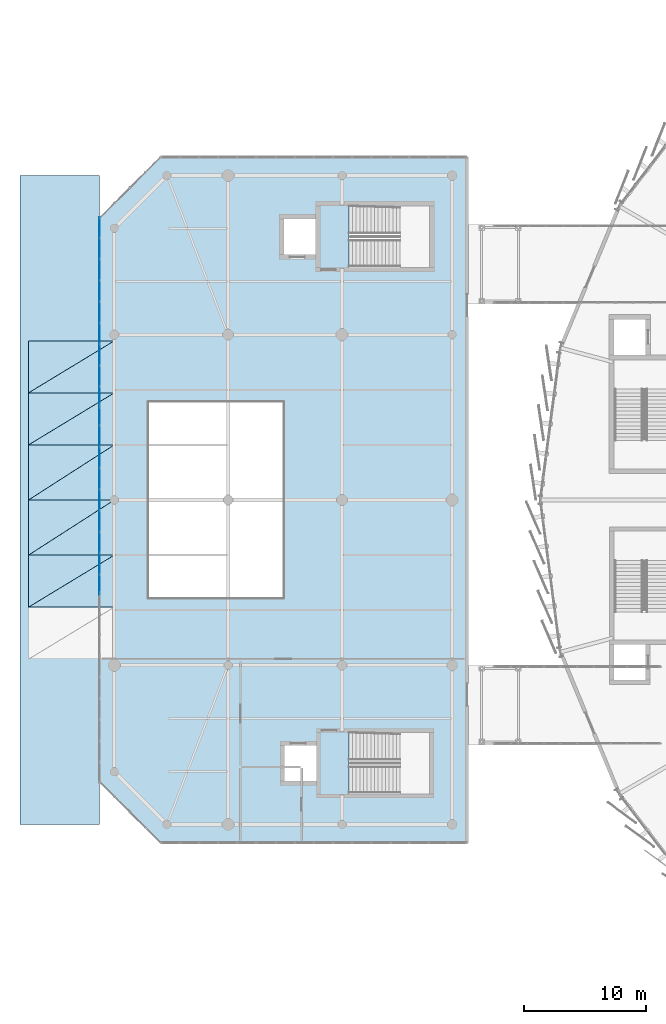
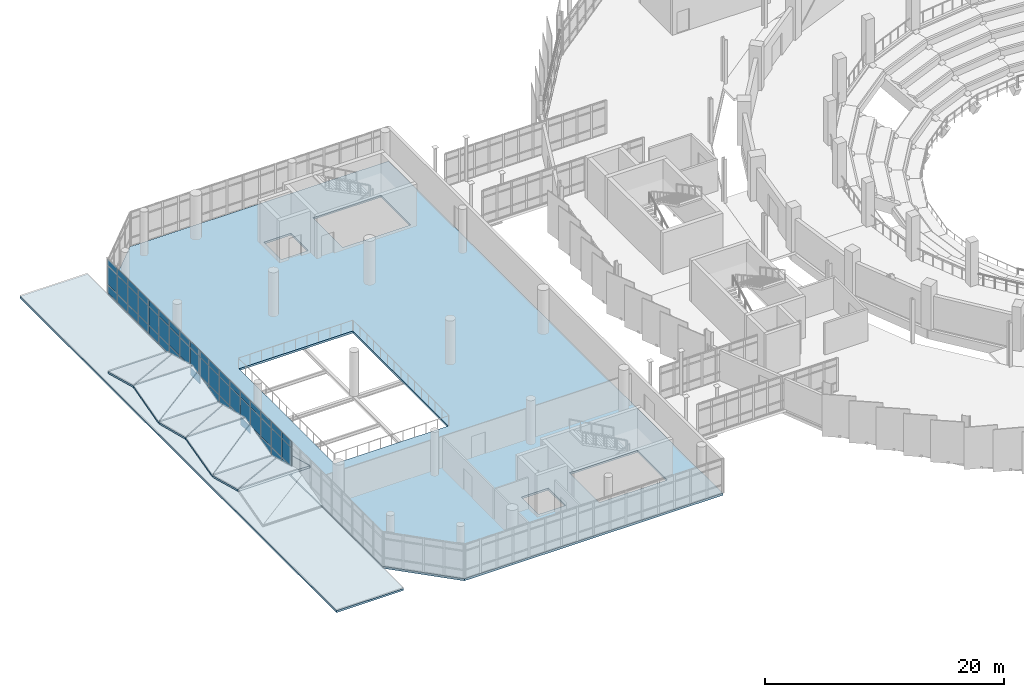
# One storey, part 89 of 134: 54 plates, 12 slabs, 2 elements without a shape of their own.
"""IFC4 building model written with IfcOpenShell, lengths in metres."""

from ifc_helpers import new_model, si_unit, direction, frame, origin, origin_2d, place, context, subcontext, project, spatial, polyline, rectangle, outline, extrude, material, layer, layer_set, type_object, element, aggregate, save


model = new_model("IFC4")

# Units and contexts
model_context = context("Model", 3, precision=1e-05, world=origin(), true_north=direction((0.0, 1.0)))
body_context = subcontext(model_context, "Body", "Model", "MODEL_VIEW")
ifc_project = project(units=[si_unit("LENGTHUNIT", "METRE"), si_unit("AREAUNIT", "SQUARE_METRE"), si_unit("VOLUMEUNIT", "CUBIC_METRE"), si_unit("PLANEANGLEUNIT", "RADIAN"), si_unit("MASSUNIT", "GRAM", prefix="KILO")], contexts=[model_context])

# Site, building, storey
site_placement = place(None, origin())
site = spatial("IfcSite", under=ifc_project, at=site_placement, CompositionType="ELEMENT")
building_placement = place(site_placement, origin())
building = spatial("IfcBuilding", under=site, at=building_placement, Name="Sohan Crest Arena", CompositionType="ELEMENT")
storey_placement = place(building_placement, frame((0.0, 0.0, 4.5)))
storey = spatial("IfcBuildingStorey", under=building, at=storey_placement, Name="L01", CompositionType="ELEMENT", Elevation=4.5)

# Curtain wall, plates
ifc_material_1 = material(Name="Thermally broken anodised aluminium", Category="aluminium")
ifc_layer_1 = layer(ifc_material_1, 0.219970703125, Name="Thermally broken anodised aluminium")
ifc_layer_set_1 = layer_set([ifc_layer_1], Name="Thermally broken anodised aluminium")
curtain_wall_type = type_object("IfcCurtainWallType", Name="ARC-CW03", PredefinedType="NOTDEFINED", material=ifc_layer_set_1)
curtain_wall_1_placement = place(storey_placement, origin())
curtain_wall_1 = element("IfcCurtainWall", 1, at=curtain_wall_1_placement, inside=storey, type_object=curtain_wall_type, Name="Unitised curtain wall CW-209", PredefinedType="NOTDEFINED")
ifc_material_2 = material(Name="Low-E double-glazed insulated glass", Category="glass")
ifc_layer_2 = layer(ifc_material_2, 0.028076171875, Name="Low-E double-glazed insulated glass")
ifc_layer_set_2 = layer_set([ifc_layer_2], Name="Low-E double-glazed insulated glass")
plate_type = type_object("IfcPlateType", Name="ARC-CNP01", PredefinedType="CURTAIN_PANEL", material=ifc_layer_set_2)
plate_1_placement = place(storey_placement, frame((14.0, 100.263916015625, 0.06494140625), z_axis=(0.0, 0.0, 1.0), x_axis=(0.0, -1.0, 0.0)))
plate_1 = element("IfcPlate", 2, at=plate_1_placement, type_object=plate_type, Name="CW-209 panel 1.1", PredefinedType="CURTAIN_PANEL", context=body_context, shape_type="SweptSolid", body=[
    extrude(rectangle(XDim=1.632080078125, YDim=0.028076171875, at=origin_2d()), origin(), (0.0, 0.0, 1.0), 0.802490234375),
])
plate_2_placement = place(storey_placement, frame((14.0, 100.263916015625, 0.9326171875), z_axis=(0.0, 0.0, 1.0), x_axis=(0.0, -1.0, 0.0)))
plate_2 = element("IfcPlate", 3, at=plate_2_placement, type_object=plate_type, Name="CW-209 panel 1.2", PredefinedType="CURTAIN_PANEL", context=body_context, shape_type="SweptSolid", body=[
    extrude(rectangle(XDim=1.632080078125, YDim=0.028076171875, at=origin_2d()), origin(), (0.0, 0.0, 1.0), 1.885009765625),
])
plate_3_placement = place(storey_placement, frame((14.0, 100.263916015625, 2.882568359375), z_axis=(0.0, 0.0, 1.0), x_axis=(0.0, -1.0, 0.0)))
plate_3 = element("IfcPlate", 4, at=plate_3_placement, type_object=plate_type, Name="CW-209 panel 1.3", PredefinedType="CURTAIN_PANEL", context=body_context, shape_type="SweptSolid", body=[
    extrude(rectangle(XDim=1.632080078125, YDim=0.028076171875, at=origin_2d()), origin(), (0.0, 0.0, 1.0), 0.6025390625),
])
plate_4_placement = place(storey_placement, frame((14.0, 98.54443359375, 0.06494140625), z_axis=(0.0, 0.0, 1.0), x_axis=(0.0, -1.0, 0.0)))
plate_4 = element("IfcPlate", 5, at=plate_4_placement, type_object=plate_type, Name="CW-209 panel 2.1", PredefinedType="CURTAIN_PANEL", context=body_context, shape_type="SweptSolid", body=[
    extrude(rectangle(XDim=1.6669921875, YDim=0.028076171875, at=origin_2d()), origin(), (0.0, 0.0, 1.0), 0.802490234375),
])
plate_5_placement = place(storey_placement, frame((14.0, 98.54443359375, 0.9326171875), z_axis=(0.0, 0.0, 1.0), x_axis=(0.0, -1.0, 0.0)))
plate_5 = element("IfcPlate", 6, at=plate_5_placement, type_object=plate_type, Name="CW-209 panel 2.2", PredefinedType="CURTAIN_PANEL", context=body_context, shape_type="SweptSolid", body=[
    extrude(rectangle(XDim=1.6669921875, YDim=0.028076171875, at=origin_2d()), origin(), (0.0, 0.0, 1.0), 1.885009765625),
])
plate_6_placement = place(storey_placement, frame((14.0, 98.54443359375, 2.882568359375), z_axis=(0.0, 0.0, 1.0), x_axis=(0.0, -1.0, 0.0)))
plate_6 = element("IfcPlate", 7, at=plate_6_placement, type_object=plate_type, Name="CW-209 panel 2.3", PredefinedType="CURTAIN_PANEL", context=body_context, shape_type="SweptSolid", body=[
    extrude(rectangle(XDim=1.6669921875, YDim=0.028076171875, at=origin_2d()), origin(), (0.0, 0.0, 1.0), 0.6025390625),
])
plate_7_placement = place(storey_placement, frame((14.0, 96.8076171875, 0.06494140625), z_axis=(0.0, 0.0, 1.0), x_axis=(0.0, -1.0, 0.0)))
plate_7 = element("IfcPlate", 8, at=plate_7_placement, type_object=plate_type, Name="CW-209 panel 3.1", PredefinedType="CURTAIN_PANEL", context=body_context, shape_type="SweptSolid", body=[
    extrude(rectangle(XDim=1.6669921875, YDim=0.028076171875, at=origin_2d()), origin(), (0.0, 0.0, 1.0), 0.802490234375),
])
plate_8_placement = place(storey_placement, frame((14.0, 96.8076171875, 0.9326171875), z_axis=(0.0, 0.0, 1.0), x_axis=(0.0, -1.0, 0.0)))
plate_8 = element("IfcPlate", 9, at=plate_8_placement, type_object=plate_type, Name="CW-209 panel 3.2", PredefinedType="CURTAIN_PANEL", context=body_context, shape_type="SweptSolid", body=[
    extrude(rectangle(XDim=1.6669921875, YDim=0.028076171875, at=origin_2d()), origin(), (0.0, 0.0, 1.0), 1.885009765625),
])
plate_9_placement = place(storey_placement, frame((14.0, 96.8076171875, 2.882568359375), z_axis=(0.0, 0.0, 1.0), x_axis=(0.0, -1.0, 0.0)))
plate_9 = element("IfcPlate", 10, at=plate_9_placement, type_object=plate_type, Name="CW-209 panel 3.3", PredefinedType="CURTAIN_PANEL", context=body_context, shape_type="SweptSolid", body=[
    extrude(rectangle(XDim=1.6669921875, YDim=0.028076171875, at=origin_2d()), origin(), (0.0, 0.0, 1.0), 0.6025390625),
])
plate_10_placement = place(storey_placement, frame((14.0, 95.070556640625, 0.06494140625), z_axis=(0.0, 0.0, 1.0), x_axis=(0.0, -1.0, 0.0)))
plate_10 = element("IfcPlate", 11, at=plate_10_placement, type_object=plate_type, Name="CW-209 panel 4.1", PredefinedType="CURTAIN_PANEL", context=body_context, shape_type="SweptSolid", body=[
    extrude(rectangle(XDim=1.6669921875, YDim=0.028076171875, at=origin_2d()), origin(), (0.0, 0.0, 1.0), 0.802490234375),
])
plate_11_placement = place(storey_placement, frame((14.0, 95.070556640625, 0.9326171875), z_axis=(0.0, 0.0, 1.0), x_axis=(0.0, -1.0, 0.0)))
plate_11 = element("IfcPlate", 12, at=plate_11_placement, type_object=plate_type, Name="CW-209 panel 4.2", PredefinedType="CURTAIN_PANEL", context=body_context, shape_type="SweptSolid", body=[
    extrude(rectangle(XDim=1.6669921875, YDim=0.028076171875, at=origin_2d()), origin(), (0.0, 0.0, 1.0), 1.885009765625),
])
plate_12_placement = place(storey_placement, frame((14.0, 95.070556640625, 2.882568359375), z_axis=(0.0, 0.0, 1.0), x_axis=(0.0, -1.0, 0.0)))
plate_12 = element("IfcPlate", 13, at=plate_12_placement, type_object=plate_type, Name="CW-209 panel 4.3", PredefinedType="CURTAIN_PANEL", context=body_context, shape_type="SweptSolid", body=[
    extrude(rectangle(XDim=1.6669921875, YDim=0.028076171875, at=origin_2d()), origin(), (0.0, 0.0, 1.0), 0.6025390625),
])
plate_13_placement = place(storey_placement, frame((14.0, 93.33349609375, 0.06494140625), z_axis=(0.0, 0.0, 1.0), x_axis=(0.0, -1.0, 0.0)))
plate_13 = element("IfcPlate", 14, at=plate_13_placement, type_object=plate_type, Name="CW-209 panel 5.1", PredefinedType="CURTAIN_PANEL", context=body_context, shape_type="SweptSolid", body=[
    extrude(rectangle(XDim=1.6669921875, YDim=0.028076171875, at=origin_2d()), origin(), (0.0, 0.0, 1.0), 0.802490234375),
])
plate_14_placement = place(storey_placement, frame((14.0, 93.33349609375, 0.9326171875), z_axis=(0.0, 0.0, 1.0), x_axis=(0.0, -1.0, 0.0)))
plate_14 = element("IfcPlate", 15, at=plate_14_placement, type_object=plate_type, Name="CW-209 panel 5.2", PredefinedType="CURTAIN_PANEL", context=body_context, shape_type="SweptSolid", body=[
    extrude(rectangle(XDim=1.6669921875, YDim=0.028076171875, at=origin_2d()), origin(), (0.0, 0.0, 1.0), 1.885009765625),
])
plate_15_placement = place(storey_placement, frame((14.0, 93.33349609375, 2.882568359375), z_axis=(0.0, 0.0, 1.0), x_axis=(0.0, -1.0, 0.0)))
plate_15 = element("IfcPlate", 16, at=plate_15_placement, type_object=plate_type, Name="CW-209 panel 5.3", PredefinedType="CURTAIN_PANEL", context=body_context, shape_type="SweptSolid", body=[
    extrude(rectangle(XDim=1.6669921875, YDim=0.028076171875, at=origin_2d()), origin(), (0.0, 0.0, 1.0), 0.6025390625),
])
plate_16_placement = place(storey_placement, frame((14.0, 91.596435546875, 0.06494140625), z_axis=(0.0, 0.0, 1.0), x_axis=(0.0, -1.0, 0.0)))
plate_16 = element("IfcPlate", 17, at=plate_16_placement, type_object=plate_type, Name="CW-209 panel 6.1", PredefinedType="CURTAIN_PANEL", context=body_context, shape_type="SweptSolid", body=[
    extrude(rectangle(XDim=1.6669921875, YDim=0.028076171875, at=origin_2d()), origin(), (0.0, 0.0, 1.0), 0.802490234375),
])
plate_17_placement = place(storey_placement, frame((14.0, 91.596435546875, 0.9326171875), z_axis=(0.0, 0.0, 1.0), x_axis=(0.0, -1.0, 0.0)))
plate_17 = element("IfcPlate", 18, at=plate_17_placement, type_object=plate_type, Name="CW-209 panel 6.2", PredefinedType="CURTAIN_PANEL", context=body_context, shape_type="SweptSolid", body=[
    extrude(rectangle(XDim=1.6669921875, YDim=0.028076171875, at=origin_2d()), origin(), (0.0, 0.0, 1.0), 1.885009765625),
])
plate_18_placement = place(storey_placement, frame((14.0, 91.596435546875, 2.882568359375), z_axis=(0.0, 0.0, 1.0), x_axis=(0.0, -1.0, 0.0)))
plate_18 = element("IfcPlate", 19, at=plate_18_placement, type_object=plate_type, Name="CW-209 panel 6.3", PredefinedType="CURTAIN_PANEL", context=body_context, shape_type="SweptSolid", body=[
    extrude(rectangle(XDim=1.6669921875, YDim=0.028076171875, at=origin_2d()), origin(), (0.0, 0.0, 1.0), 0.6025390625),
])
plate_19_placement = place(storey_placement, frame((14.0, 89.859619140625, 0.06494140625), z_axis=(0.0, 0.0, 1.0), x_axis=(0.0, -1.0, 0.0)))
plate_19 = element("IfcPlate", 20, at=plate_19_placement, type_object=plate_type, Name="CW-209 panel 7.1", PredefinedType="CURTAIN_PANEL", context=body_context, shape_type="SweptSolid", body=[
    extrude(rectangle(XDim=1.6669921875, YDim=0.028076171875, at=origin_2d()), origin(), (0.0, 0.0, 1.0), 0.802490234375),
])
plate_20_placement = place(storey_placement, frame((14.0, 89.859619140625, 0.9326171875), z_axis=(0.0, 0.0, 1.0), x_axis=(0.0, -1.0, 0.0)))
plate_20 = element("IfcPlate", 21, at=plate_20_placement, type_object=plate_type, Name="CW-209 panel 7.2", PredefinedType="CURTAIN_PANEL", context=body_context, shape_type="SweptSolid", body=[
    extrude(rectangle(XDim=1.6669921875, YDim=0.028076171875, at=origin_2d()), origin(), (0.0, 0.0, 1.0), 1.885009765625),
])
plate_21_placement = place(storey_placement, frame((14.0, 89.859619140625, 2.882568359375), z_axis=(0.0, 0.0, 1.0), x_axis=(0.0, -1.0, 0.0)))
plate_21 = element("IfcPlate", 22, at=plate_21_placement, type_object=plate_type, Name="CW-209 panel 7.3", PredefinedType="CURTAIN_PANEL", context=body_context, shape_type="SweptSolid", body=[
    extrude(rectangle(XDim=1.6669921875, YDim=0.028076171875, at=origin_2d()), origin(), (0.0, 0.0, 1.0), 0.6025390625),
])
plate_22_placement = place(storey_placement, frame((14.0, 88.12255859375, 0.06494140625), z_axis=(0.0, 0.0, 1.0), x_axis=(0.0, -1.0, 0.0)))
plate_22 = element("IfcPlate", 23, at=plate_22_placement, type_object=plate_type, Name="CW-209 panel 8.1", PredefinedType="CURTAIN_PANEL", context=body_context, shape_type="SweptSolid", body=[
    extrude(rectangle(XDim=1.6669921875, YDim=0.028076171875, at=origin_2d()), origin(), (0.0, 0.0, 1.0), 0.802490234375),
])
plate_23_placement = place(storey_placement, frame((14.0, 88.12255859375, 0.9326171875), z_axis=(0.0, 0.0, 1.0), x_axis=(0.0, -1.0, 0.0)))
plate_23 = element("IfcPlate", 24, at=plate_23_placement, type_object=plate_type, Name="CW-209 panel 8.2", PredefinedType="CURTAIN_PANEL", context=body_context, shape_type="SweptSolid", body=[
    extrude(rectangle(XDim=1.6669921875, YDim=0.028076171875, at=origin_2d()), origin(), (0.0, 0.0, 1.0), 1.885009765625),
])
plate_24_placement = place(storey_placement, frame((14.0, 88.12255859375, 2.882568359375), z_axis=(0.0, 0.0, 1.0), x_axis=(0.0, -1.0, 0.0)))
plate_24 = element("IfcPlate", 25, at=plate_24_placement, type_object=plate_type, Name="CW-209 panel 8.3", PredefinedType="CURTAIN_PANEL", context=body_context, shape_type="SweptSolid", body=[
    extrude(rectangle(XDim=1.6669921875, YDim=0.028076171875, at=origin_2d()), origin(), (0.0, 0.0, 1.0), 0.6025390625),
])
plate_25_placement = place(storey_placement, frame((14.0, 86.403076171875, 0.06494140625), z_axis=(0.0, 0.0, 1.0), x_axis=(0.0, -1.0, 0.0)))
plate_25 = element("IfcPlate", 26, at=plate_25_placement, type_object=plate_type, Name="CW-209 panel 9.1", PredefinedType="CURTAIN_PANEL", context=body_context, shape_type="SweptSolid", body=[
    extrude(rectangle(XDim=1.632080078125, YDim=0.028076171875, at=origin_2d()), origin(), (0.0, 0.0, 1.0), 0.802490234375),
])
plate_26_placement = place(storey_placement, frame((14.0, 86.403076171875, 0.9326171875), z_axis=(0.0, 0.0, 1.0), x_axis=(0.0, -1.0, 0.0)))
plate_26 = element("IfcPlate", 27, at=plate_26_placement, type_object=plate_type, Name="CW-209 panel 9.2", PredefinedType="CURTAIN_PANEL", context=body_context, shape_type="SweptSolid", body=[
    extrude(rectangle(XDim=1.632080078125, YDim=0.028076171875, at=origin_2d()), origin(), (0.0, 0.0, 1.0), 1.885009765625),
])
plate_27_placement = place(storey_placement, frame((14.0, 86.403076171875, 2.882568359375), z_axis=(0.0, 0.0, 1.0), x_axis=(0.0, -1.0, 0.0)))
plate_27 = element("IfcPlate", 28, at=plate_27_placement, type_object=plate_type, Name="CW-209 panel 9.3", PredefinedType="CURTAIN_PANEL", context=body_context, shape_type="SweptSolid", body=[
    extrude(rectangle(XDim=1.632080078125, YDim=0.028076171875, at=origin_2d()), origin(), (0.0, 0.0, 1.0), 0.6025390625),
])
aggregate(curtain_wall_1, [plate_1, plate_2, plate_3, plate_4, plate_5, plate_6, plate_7, plate_8, plate_9, plate_10, plate_11, plate_12, plate_13, plate_14, plate_15, plate_16, plate_17, plate_18, plate_19, plate_20, plate_21, plate_22, plate_23, plate_24, plate_25, plate_26, plate_27])

curtain_wall_2_placement = place(storey_placement, origin())
curtain_wall_2 = element("IfcCurtainWall", 29, at=curtain_wall_2_placement, inside=storey, type_object=curtain_wall_type, Name="Unitised curtain wall CW-210", PredefinedType="NOTDEFINED")
plate_28_placement = place(storey_placement, frame((14.0, 84.930908203125, 0.06494140625), z_axis=(0.0, 0.0, 1.0), x_axis=(0.0, -1.0, 0.0)))
plate_28 = element("IfcPlate", 30, at=plate_28_placement, type_object=plate_type, Name="CW-210 panel 1.1", PredefinedType="CURTAIN_PANEL", context=body_context, shape_type="SweptSolid", body=[
    extrude(rectangle(XDim=1.632080078125, YDim=0.028076171875, at=origin_2d()), origin(), (0.0, 0.0, 1.0), 0.802490234375),
])
plate_29_placement = place(storey_placement, frame((14.0, 84.930908203125, 0.9326171875), z_axis=(0.0, 0.0, 1.0), x_axis=(0.0, -1.0, 0.0)))
plate_29 = element("IfcPlate", 31, at=plate_29_placement, type_object=plate_type, Name="CW-210 panel 1.2", PredefinedType="CURTAIN_PANEL", context=body_context, shape_type="SweptSolid", body=[
    extrude(rectangle(XDim=1.632080078125, YDim=0.028076171875, at=origin_2d()), origin(), (0.0, 0.0, 1.0), 1.885009765625),
])
plate_30_placement = place(storey_placement, frame((14.0, 84.930908203125, 2.882568359375), z_axis=(0.0, 0.0, 1.0), x_axis=(0.0, -1.0, 0.0)))
plate_30 = element("IfcPlate", 32, at=plate_30_placement, type_object=plate_type, Name="CW-210 panel 1.3", PredefinedType="CURTAIN_PANEL", context=body_context, shape_type="SweptSolid", body=[
    extrude(rectangle(XDim=1.632080078125, YDim=0.028076171875, at=origin_2d()), origin(), (0.0, 0.0, 1.0), 0.6025390625),
])
plate_31_placement = place(storey_placement, frame((14.0, 83.21142578125, 0.06494140625), z_axis=(0.0, 0.0, 1.0), x_axis=(0.0, -1.0, 0.0)))
plate_31 = element("IfcPlate", 33, at=plate_31_placement, type_object=plate_type, Name="CW-210 panel 2.1", PredefinedType="CURTAIN_PANEL", context=body_context, shape_type="SweptSolid", body=[
    extrude(rectangle(XDim=1.6669921875, YDim=0.028076171875, at=origin_2d()), origin(), (0.0, 0.0, 1.0), 0.802490234375),
])
plate_32_placement = place(storey_placement, frame((14.0, 83.21142578125, 0.9326171875), z_axis=(0.0, 0.0, 1.0), x_axis=(0.0, -1.0, 0.0)))
plate_32 = element("IfcPlate", 34, at=plate_32_placement, type_object=plate_type, Name="CW-210 panel 2.2", PredefinedType="CURTAIN_PANEL", context=body_context, shape_type="SweptSolid", body=[
    extrude(rectangle(XDim=1.6669921875, YDim=0.028076171875, at=origin_2d()), origin(), (0.0, 0.0, 1.0), 1.885009765625),
])
plate_33_placement = place(storey_placement, frame((14.0, 83.21142578125, 2.882568359375), z_axis=(0.0, 0.0, 1.0), x_axis=(0.0, -1.0, 0.0)))
plate_33 = element("IfcPlate", 35, at=plate_33_placement, type_object=plate_type, Name="CW-210 panel 2.3", PredefinedType="CURTAIN_PANEL", context=body_context, shape_type="SweptSolid", body=[
    extrude(rectangle(XDim=1.6669921875, YDim=0.028076171875, at=origin_2d()), origin(), (0.0, 0.0, 1.0), 0.6025390625),
])
plate_34_placement = place(storey_placement, frame((14.0, 81.47412109375, 0.06494140625), z_axis=(0.0, 0.0, 1.0), x_axis=(0.0, -1.0, 0.0)))
plate_34 = element("IfcPlate", 36, at=plate_34_placement, type_object=plate_type, Name="CW-210 panel 3.1", PredefinedType="CURTAIN_PANEL", context=body_context, shape_type="SweptSolid", body=[
    extrude(rectangle(XDim=1.6669921875, YDim=0.028076171875, at=origin_2d()), origin(), (0.0, 0.0, 1.0), 0.802490234375),
])
plate_35_placement = place(storey_placement, frame((14.0, 81.47412109375, 0.9326171875), z_axis=(0.0, 0.0, 1.0), x_axis=(0.0, -1.0, 0.0)))
plate_35 = element("IfcPlate", 37, at=plate_35_placement, type_object=plate_type, Name="CW-210 panel 3.2", PredefinedType="CURTAIN_PANEL", context=body_context, shape_type="SweptSolid", body=[
    extrude(rectangle(XDim=1.6669921875, YDim=0.028076171875, at=origin_2d()), origin(), (0.0, 0.0, 1.0), 1.885009765625),
])
plate_36_placement = place(storey_placement, frame((14.0, 81.47412109375, 2.882568359375), z_axis=(0.0, 0.0, 1.0), x_axis=(0.0, -1.0, 0.0)))
plate_36 = element("IfcPlate", 38, at=plate_36_placement, type_object=plate_type, Name="CW-210 panel 3.3", PredefinedType="CURTAIN_PANEL", context=body_context, shape_type="SweptSolid", body=[
    extrude(rectangle(XDim=1.6669921875, YDim=0.028076171875, at=origin_2d()), origin(), (0.0, 0.0, 1.0), 0.6025390625),
])
plate_37_placement = place(storey_placement, frame((14.0, 79.737060546875, 0.06494140625), z_axis=(0.0, 0.0, 1.0), x_axis=(0.0, -1.0, 0.0)))
plate_37 = element("IfcPlate", 39, at=plate_37_placement, type_object=plate_type, Name="CW-210 panel 4.1", PredefinedType="CURTAIN_PANEL", context=body_context, shape_type="SweptSolid", body=[
    extrude(rectangle(XDim=1.6669921875, YDim=0.028076171875, at=origin_2d()), origin(), (0.0, 0.0, 1.0), 0.802490234375),
])
plate_38_placement = place(storey_placement, frame((14.0, 79.737060546875, 0.9326171875), z_axis=(0.0, 0.0, 1.0), x_axis=(0.0, -1.0, 0.0)))
plate_38 = element("IfcPlate", 40, at=plate_38_placement, type_object=plate_type, Name="CW-210 panel 4.2", PredefinedType="CURTAIN_PANEL", context=body_context, shape_type="SweptSolid", body=[
    extrude(rectangle(XDim=1.6669921875, YDim=0.028076171875, at=origin_2d()), origin(), (0.0, 0.0, 1.0), 1.885009765625),
])
plate_39_placement = place(storey_placement, frame((14.0, 79.737060546875, 2.882568359375), z_axis=(0.0, 0.0, 1.0), x_axis=(0.0, -1.0, 0.0)))
plate_39 = element("IfcPlate", 41, at=plate_39_placement, type_object=plate_type, Name="CW-210 panel 4.3", PredefinedType="CURTAIN_PANEL", context=body_context, shape_type="SweptSolid", body=[
    extrude(rectangle(XDim=1.6669921875, YDim=0.028076171875, at=origin_2d()), origin(), (0.0, 0.0, 1.0), 0.6025390625),
])
plate_40_placement = place(storey_placement, frame((14.0, 78.0, 0.06494140625), z_axis=(0.0, 0.0, 1.0), x_axis=(0.0, -1.0, 0.0)))
plate_40 = element("IfcPlate", 42, at=plate_40_placement, type_object=plate_type, Name="CW-210 panel 5.1", PredefinedType="CURTAIN_PANEL", context=body_context, shape_type="SweptSolid", body=[
    extrude(rectangle(XDim=1.6669921875, YDim=0.028076171875, at=origin_2d()), origin(), (0.0, 0.0, 1.0), 0.802490234375),
])
plate_41_placement = place(storey_placement, frame((14.0, 78.0, 0.9326171875), z_axis=(0.0, 0.0, 1.0), x_axis=(0.0, -1.0, 0.0)))
plate_41 = element("IfcPlate", 43, at=plate_41_placement, type_object=plate_type, Name="CW-210 panel 5.2", PredefinedType="CURTAIN_PANEL", context=body_context, shape_type="SweptSolid", body=[
    extrude(rectangle(XDim=1.6669921875, YDim=0.028076171875, at=origin_2d()), origin(), (0.0, 0.0, 1.0), 1.885009765625),
])
plate_42_placement = place(storey_placement, frame((14.0, 78.0, 2.882568359375), z_axis=(0.0, 0.0, 1.0), x_axis=(0.0, -1.0, 0.0)))
plate_42 = element("IfcPlate", 44, at=plate_42_placement, type_object=plate_type, Name="CW-210 panel 5.3", PredefinedType="CURTAIN_PANEL", context=body_context, shape_type="SweptSolid", body=[
    extrude(rectangle(XDim=1.6669921875, YDim=0.028076171875, at=origin_2d()), origin(), (0.0, 0.0, 1.0), 0.6025390625),
])
plate_43_placement = place(storey_placement, frame((14.0, 76.262939453125, 0.06494140625), z_axis=(0.0, 0.0, 1.0), x_axis=(0.0, -1.0, 0.0)))
plate_43 = element("IfcPlate", 45, at=plate_43_placement, type_object=plate_type, Name="CW-210 panel 6.1", PredefinedType="CURTAIN_PANEL", context=body_context, shape_type="SweptSolid", body=[
    extrude(rectangle(XDim=1.6669921875, YDim=0.028076171875, at=origin_2d()), origin(), (0.0, 0.0, 1.0), 0.802490234375),
])
plate_44_placement = place(storey_placement, frame((14.0, 76.262939453125, 0.9326171875), z_axis=(0.0, 0.0, 1.0), x_axis=(0.0, -1.0, 0.0)))
plate_44 = element("IfcPlate", 46, at=plate_44_placement, type_object=plate_type, Name="CW-210 panel 6.2", PredefinedType="CURTAIN_PANEL", context=body_context, shape_type="SweptSolid", body=[
    extrude(rectangle(XDim=1.6669921875, YDim=0.028076171875, at=origin_2d()), origin(), (0.0, 0.0, 1.0), 1.885009765625),
])
plate_45_placement = place(storey_placement, frame((14.0, 76.262939453125, 2.882568359375), z_axis=(0.0, 0.0, 1.0), x_axis=(0.0, -1.0, 0.0)))
plate_45 = element("IfcPlate", 47, at=plate_45_placement, type_object=plate_type, Name="CW-210 panel 6.3", PredefinedType="CURTAIN_PANEL", context=body_context, shape_type="SweptSolid", body=[
    extrude(rectangle(XDim=1.6669921875, YDim=0.028076171875, at=origin_2d()), origin(), (0.0, 0.0, 1.0), 0.6025390625),
])
plate_46_placement = place(storey_placement, frame((14.0, 74.52587890625, 0.06494140625), z_axis=(0.0, 0.0, 1.0), x_axis=(0.0, -1.0, 0.0)))
plate_46 = element("IfcPlate", 48, at=plate_46_placement, type_object=plate_type, Name="CW-210 panel 7.1", PredefinedType="CURTAIN_PANEL", context=body_context, shape_type="SweptSolid", body=[
    extrude(rectangle(XDim=1.6669921875, YDim=0.028076171875, at=origin_2d()), origin(), (0.0, 0.0, 1.0), 0.802490234375),
])
plate_47_placement = place(storey_placement, frame((14.0, 74.52587890625, 0.9326171875), z_axis=(0.0, 0.0, 1.0), x_axis=(0.0, -1.0, 0.0)))
plate_47 = element("IfcPlate", 49, at=plate_47_placement, type_object=plate_type, Name="CW-210 panel 7.2", PredefinedType="CURTAIN_PANEL", context=body_context, shape_type="SweptSolid", body=[
    extrude(rectangle(XDim=1.6669921875, YDim=0.028076171875, at=origin_2d()), origin(), (0.0, 0.0, 1.0), 1.885009765625),
])
plate_48_placement = place(storey_placement, frame((14.0, 74.52587890625, 2.882568359375), z_axis=(0.0, 0.0, 1.0), x_axis=(0.0, -1.0, 0.0)))
plate_48 = element("IfcPlate", 50, at=plate_48_placement, type_object=plate_type, Name="CW-210 panel 7.3", PredefinedType="CURTAIN_PANEL", context=body_context, shape_type="SweptSolid", body=[
    extrude(rectangle(XDim=1.6669921875, YDim=0.028076171875, at=origin_2d()), origin(), (0.0, 0.0, 1.0), 0.6025390625),
])
plate_49_placement = place(storey_placement, frame((14.0, 72.78857421875, 0.06494140625), z_axis=(0.0, 0.0, 1.0), x_axis=(0.0, -1.0, 0.0)))
plate_49 = element("IfcPlate", 51, at=plate_49_placement, type_object=plate_type, Name="CW-210 panel 8.1", PredefinedType="CURTAIN_PANEL", context=body_context, shape_type="SweptSolid", body=[
    extrude(rectangle(XDim=1.6669921875, YDim=0.028076171875, at=origin_2d()), origin(), (0.0, 0.0, 1.0), 0.802490234375),
])
plate_50_placement = place(storey_placement, frame((14.0, 72.78857421875, 0.9326171875), z_axis=(0.0, 0.0, 1.0), x_axis=(0.0, -1.0, 0.0)))
plate_50 = element("IfcPlate", 52, at=plate_50_placement, type_object=plate_type, Name="CW-210 panel 8.2", PredefinedType="CURTAIN_PANEL", context=body_context, shape_type="SweptSolid", body=[
    extrude(rectangle(XDim=1.6669921875, YDim=0.028076171875, at=origin_2d()), origin(), (0.0, 0.0, 1.0), 1.885009765625),
])
plate_51_placement = place(storey_placement, frame((14.0, 72.78857421875, 2.882568359375), z_axis=(0.0, 0.0, 1.0), x_axis=(0.0, -1.0, 0.0)))
plate_51 = element("IfcPlate", 53, at=plate_51_placement, type_object=plate_type, Name="CW-210 panel 8.3", PredefinedType="CURTAIN_PANEL", context=body_context, shape_type="SweptSolid", body=[
    extrude(rectangle(XDim=1.6669921875, YDim=0.028076171875, at=origin_2d()), origin(), (0.0, 0.0, 1.0), 0.6025390625),
])
plate_52_placement = place(storey_placement, frame((14.0, 71.069091796875, 0.06494140625), z_axis=(0.0, 0.0, 1.0), x_axis=(0.0, -1.0, 0.0)))
plate_52 = element("IfcPlate", 54, at=plate_52_placement, type_object=plate_type, Name="CW-210 panel 9.1", PredefinedType="CURTAIN_PANEL", context=body_context, shape_type="SweptSolid", body=[
    extrude(rectangle(XDim=1.632080078125, YDim=0.028076171875, at=origin_2d()), origin(), (0.0, 0.0, 1.0), 0.802490234375),
])
plate_53_placement = place(storey_placement, frame((14.0, 71.069091796875, 0.9326171875), z_axis=(0.0, 0.0, 1.0), x_axis=(0.0, -1.0, 0.0)))
plate_53 = element("IfcPlate", 55, at=plate_53_placement, type_object=plate_type, Name="CW-210 panel 9.2", PredefinedType="CURTAIN_PANEL", context=body_context, shape_type="SweptSolid", body=[
    extrude(rectangle(XDim=1.632080078125, YDim=0.028076171875, at=origin_2d()), origin(), (0.0, 0.0, 1.0), 1.885009765625),
])
plate_54_placement = place(storey_placement, frame((14.0, 71.069091796875, 2.882568359375), z_axis=(0.0, 0.0, 1.0), x_axis=(0.0, -1.0, 0.0)))
plate_54 = element("IfcPlate", 56, at=plate_54_placement, type_object=plate_type, Name="CW-210 panel 9.3", PredefinedType="CURTAIN_PANEL", context=body_context, shape_type="SweptSolid", body=[
    extrude(rectangle(XDim=1.632080078125, YDim=0.028076171875, at=origin_2d()), origin(), (0.0, 0.0, 1.0), 0.6025390625),
])
aggregate(curtain_wall_2, [plate_28, plate_29, plate_30, plate_31, plate_32, plate_33, plate_34, plate_35, plate_36, plate_37, plate_38, plate_39, plate_40, plate_41, plate_42, plate_43, plate_44, plate_45, plate_46, plate_47, plate_48, plate_49, plate_50, plate_51, plate_52, plate_53, plate_54])

# Slabs
ifc_material_3 = material(Name="Concrete C40/50", Category="concrete")
ifc_layer_3 = layer(ifc_material_3, 0.2099609375, Name="Concrete C40/50")
ifc_layer_set_3 = layer_set([ifc_layer_3], Name="Concrete C40/50")
slab_type_1 = type_object("IfcSlabType", Name="SL-FLR1", PredefinedType="FLOOR", material=ifc_layer_set_3)
slab_1_placement = place(storey_placement, frame((0.0, 0.0, -0.2099609375)))
element("IfcSlab", 57, at=slab_1_placement, inside=storey, type_object=slab_type_1, Name="Entrance foyer L01 gallery slab SL-L01-V3", PredefinedType="FLOOR", context=body_context, shape_type="SweptSolid", body=[
    extrude(outline(polyline([(44.0, 50.0), (19.0, 50.0), (14.0, 55.0), (14.0, 101.0), (19.0, 106.0), (44.0, 106.0), (44.0, 50.0)]), holes=[polyline([(40.949951171875, 59.0), (34.3701171875, 59.0), (34.3701171875, 54.0), (40.949951171875, 54.0), (40.949951171875, 59.0)]), polyline([(31.699951171875, 55.050048828125), (31.699951171875, 57.949951171875), (29.10009765625, 57.949951171875), (29.10009765625, 55.050048828125), (31.699951171875, 55.050048828125)]), polyline([(34.3701171875, 97.0), (40.949951171875, 97.0), (40.949951171875, 102.0), (34.3701171875, 102.0), (34.3701171875, 97.0)]), polyline([(29.050048828125, 100.949951171875), (29.050048828125, 98.050048828125), (31.64990234375, 98.050048828125), (31.64990234375, 100.949951171875), (29.050048828125, 100.949951171875)]), polyline([(29.0, 86.0), (18.0, 86.0), (18.0, 70.0), (29.0, 70.0), (29.0, 86.0)])]), origin(), (0.0, 0.0, 1.0), 0.2099609375),
])
ifc_layer_4 = layer(ifc_material_3, 0.175048828125, Name="Concrete C40/50")
ifc_layer_set_4 = layer_set([ifc_layer_4], Name="Concrete C40/50")
slab_type_2 = type_object("IfcSlabType", Name="SL-RF01", PredefinedType="ROOF", material=ifc_layer_set_4)
slab_2_placement = place(storey_placement, frame((8.208984375, 69.2529296875, 1.22607421875), z_axis=(0.0, 0.259620573011, 0.965710701023), x_axis=(1.0, 0.0, 0.0)))
element("IfcSlab", 58, at=slab_2_placement, inside=storey, type_object=slab_type_2, Name="Sloped roof deck panel RF-SL-127", PredefinedType="ROOF", context=body_context, shape_type="SweptSolid", body=[
    extrude(outline(polyline([(0.0, 0.0), (6.986083984375, 0.0), (6.986083984375, 4.391549966656217), (0.0, 0.0)])), origin(), (0.0, 0.0, -1.0), 0.175048828125),
])
slab_3_placement = place(storey_placement, frame((8.205078125, 69.256103515625, 1.22607421875), z_axis=(0.0, 0.259620573011, 0.965710701023), x_axis=(0.84661194233, 0.513961559034, -0.138172844436)))
element("IfcSlab", 59, at=slab_3_placement, inside=storey, type_object=slab_type_2, Name="Sloped roof deck panel RF-SL-128", PredefinedType="ROOF", context=body_context, shape_type="SweptSolid", body=[
    extrude(outline(polyline([(0.0, 0.0), (8.251525279132535, 1.1102230246251565e-16), (2.3372298402103038, 3.7179386471092735), (0.0, 0.0)])), origin(), (0.0, 0.0, -1.0), 0.175048828125),
])
slab_4_placement = place(storey_placement, frame((8.208984375, 73.5029296875, 0.0859375), z_axis=(0.0, -0.246067419306, 0.969252714805), x_axis=(1.0, 0.0, 0.0)))
element("IfcSlab", 60, at=slab_4_placement, inside=storey, type_object=slab_type_2, Name="Sloped roof deck panel RF-SL-129", PredefinedType="ROOF", context=body_context, shape_type="SweptSolid", body=[
    extrude(outline(polyline([(0.0, 0.0), (6.986083984375, 0.0), (6.986083984375, 4.633432260007231), (0.0, 0.0)])), origin(), (0.0, 0.0, -1.0), 0.175048828125),
])
slab_5_placement = place(storey_placement, frame((8.205078125, 73.506103515625, 0.0859375), z_axis=(0.0, -0.246067419306, 0.969252714805), x_axis=(0.833358041918, 0.535738490986, 0.136009717472)))
element("IfcSlab", 61, at=slab_5_placement, inside=storey, type_object=slab_type_2, Name="Sloped roof deck panel RF-SL-130", PredefinedType="ROOF", context=body_context, shape_type="SweptSolid", body=[
    extrude(outline(polyline([(0.0, 0.0), (8.382759261162207, -3.885780586188048e-16), (2.5610534478237232, 3.86130803555815), (0.0, 0.0)])), origin(), (0.0, 0.0, -1.0), 0.175048828125),
])
slab_6_placement = place(storey_placement, frame((8.208984375, 78.0029296875, 1.22607421875), z_axis=(0.0, 0.246067419306, 0.969252714805), x_axis=(1.0, 0.0, 0.0)))
element("IfcSlab", 62, at=slab_6_placement, inside=storey, type_object=slab_type_2, Name="Sloped roof deck panel RF-SL-131", PredefinedType="ROOF", context=body_context, shape_type="SweptSolid", body=[
    extrude(outline(polyline([(0.0, 0.0), (6.986083984375, 0.0), (6.986083984375, 4.633432260007231), (0.0, 0.0)])), origin(), (0.0, 0.0, -1.0), 0.175048828125),
])
slab_7_placement = place(storey_placement, frame((8.205078125, 78.006103515625, 1.22607421875), z_axis=(0.0, 0.246067419306, 0.969252714805), x_axis=(0.833358041918, 0.535738490986, -0.136009717472)))
element("IfcSlab", 63, at=slab_7_placement, inside=storey, type_object=slab_type_2, Name="Sloped roof deck panel RF-SL-132", PredefinedType="ROOF", context=body_context, shape_type="SweptSolid", body=[
    extrude(outline(polyline([(0.0, 0.0), (8.382759261162207, -3.885780586188048e-16), (2.5610534478237232, 3.86130803555815), (0.0, 0.0)])), origin(), (0.0, 0.0, -1.0), 0.175048828125),
])
slab_8_placement = place(storey_placement, frame((8.208984375, 82.5029296875, 0.0859375), z_axis=(0.0, -0.259620573011, 0.965710701023), x_axis=(1.0, 0.0, 0.0)))
element("IfcSlab", 64, at=slab_8_placement, inside=storey, type_object=slab_type_2, Name="Sloped roof deck panel RF-SL-133", PredefinedType="ROOF", context=body_context, shape_type="SweptSolid", body=[
    extrude(outline(polyline([(0.0, 0.0), (6.986083984375, 0.0), (6.986083984375, 4.391549966656217), (0.0, 0.0)])), origin(), (0.0, 0.0, -1.0), 0.175048828125),
])
slab_9_placement = place(storey_placement, frame((8.205078125, 82.506103515625, 0.0859375), z_axis=(0.0, -0.259620573011, 0.965710701023), x_axis=(0.84661194233, 0.513961559034, 0.138172844436)))
element("IfcSlab", 65, at=slab_9_placement, inside=storey, type_object=slab_type_2, Name="Sloped roof deck panel RF-SL-134", PredefinedType="ROOF", context=body_context, shape_type="SweptSolid", body=[
    extrude(outline(polyline([(0.0, 0.0), (8.251525279132535, 1.1102230246251565e-16), (2.3372298402103038, 3.7179386471092735), (0.0, 0.0)])), origin(), (0.0, 0.0, -1.0), 0.175048828125),
])
slab_10_placement = place(storey_placement, frame((8.208984375, 86.7529296875, 1.22607421875), z_axis=(0.0, 0.259620573011, 0.965710701023), x_axis=(1.0, 0.0, 0.0)))
element("IfcSlab", 66, at=slab_10_placement, inside=storey, type_object=slab_type_2, Name="Sloped roof deck panel RF-SL-135", PredefinedType="ROOF", context=body_context, shape_type="SweptSolid", body=[
    extrude(outline(polyline([(0.0, 0.0), (6.986083984375, 0.0), (6.986083984375, 4.391549966656217), (0.0, 0.0)])), origin(), (0.0, 0.0, -1.0), 0.175048828125),
])
slab_11_placement = place(storey_placement, frame((8.205078125, 86.756103515625, 1.22607421875), z_axis=(0.0, 0.259620573011, 0.965710701023), x_axis=(0.84661194233, 0.513961559034, -0.138172844436)))
element("IfcSlab", 67, at=slab_11_placement, inside=storey, type_object=slab_type_2, Name="Sloped roof deck panel RF-SL-136", PredefinedType="ROOF", context=body_context, shape_type="SweptSolid", body=[
    extrude(outline(polyline([(0.0, 0.0), (8.251525279132535, 1.1102230246251565e-16), (2.3372298402103038, 3.7179386471092735), (0.0, 0.0)])), origin(), (0.0, 0.0, -1.0), 0.175048828125),
])
ifc_layer_5 = layer(ifc_material_3, 0.195068359375, Name="Concrete C40/50")
ifc_layer_set_5 = layer_set([ifc_layer_5], Name="Concrete C40/50")
slab_type_3 = type_object("IfcSlabType", Name="SL-RF02", PredefinedType="ROOF", material=ifc_layer_set_5)
slab_12_placement = place(storey_placement, frame((0.0, 0.0, -0.344970703125)))
element("IfcSlab", 68, at=slab_12_placement, inside=storey, type_object=slab_type_3, Name="Boulevard entrance canopy roof RF-V3-CAN", PredefinedType="ROOF", context=body_context, shape_type="SweptSolid", body=[
    extrude(outline(polyline([(7.5, 51.5), (14.0, 51.5), (14.0, 104.5), (7.5, 104.5), (7.5, 51.5)])), origin(), (0.0, 0.0, 1.0), 0.195068359375),
])

save(model, "model.ifc")
